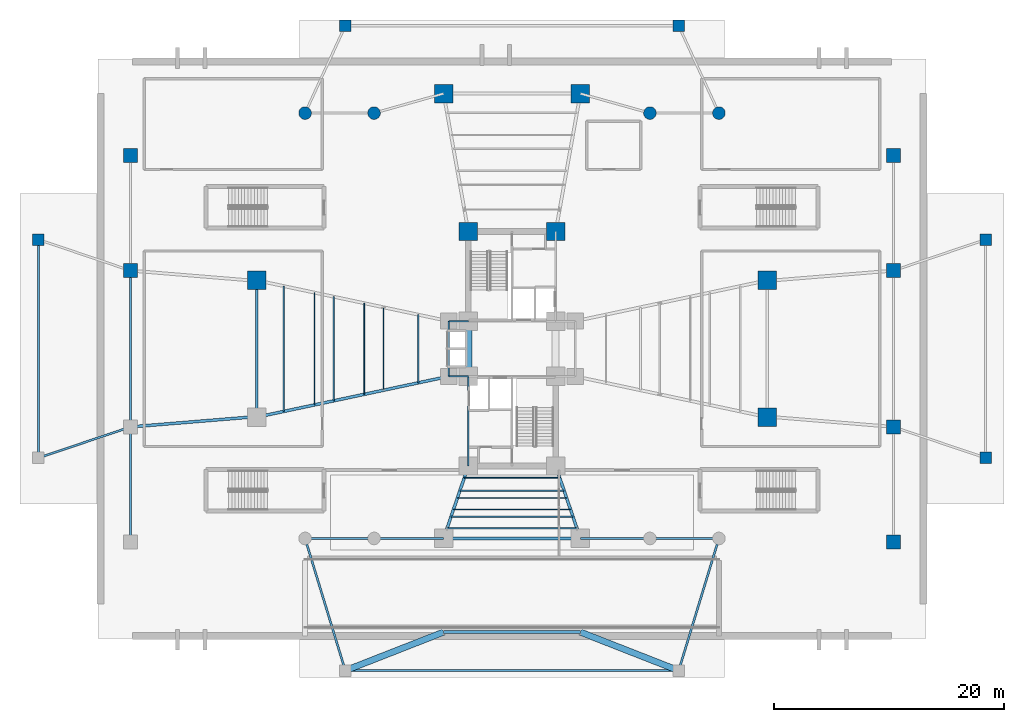
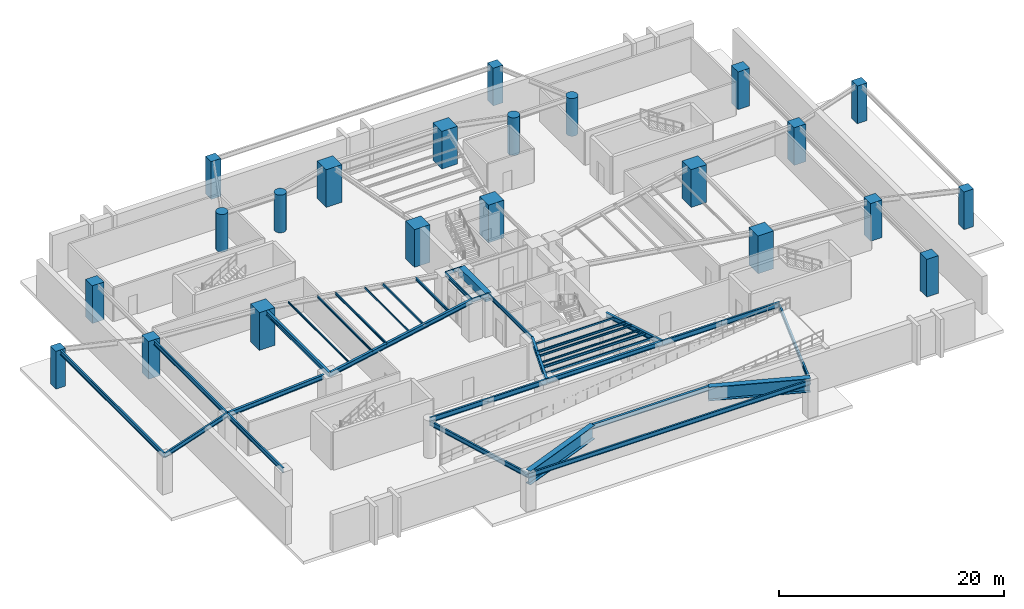
# One storey, part 3 of 14: 37 beams, 22 columns.
"""IFC4 building model written with IfcOpenShell, lengths in metres."""

from ifc_helpers import new_model, si_unit, direction, frame, origin, origin_2d, place, context, subcontext, project, spatial, rectangle, hollow_rectangle, circle, i_section, extrude, source, transform, mapped, material, material_profile, profile_set, type_object, element, save


model = new_model("IFC4")

# Units and contexts
model_context = context("Model", 3, precision=1e-05, world=origin(), true_north=direction((0.0, 1.0)))
body_context = subcontext(model_context, "Body", "Model", "MODEL_VIEW")
ifc_project = project(units=[si_unit("LENGTHUNIT", "METRE"), si_unit("AREAUNIT", "SQUARE_METRE"), si_unit("VOLUMEUNIT", "CUBIC_METRE"), si_unit("PLANEANGLEUNIT", "RADIAN"), si_unit("MASSUNIT", "GRAM", prefix="KILO")], contexts=[model_context])

# Site, building, storey
site_placement = place(None, origin())
site = spatial("IfcSite", under=ifc_project, at=site_placement, CompositionType="ELEMENT")
building_placement = place(site_placement, origin())
building = spatial("IfcBuilding", under=site, at=building_placement, Name="Sahyath Konkavel Grand Hotel", CompositionType="ELEMENT")
storey_placement = place(building_placement, frame((0.0, 0.0, -4.5)))
storey = spatial("IfcBuildingStorey", under=building, at=storey_placement, Name="B1", CompositionType="ELEMENT", Elevation=-4.5)

# Columns
ifc_material_1 = material(Name="Concrete C70/85", Category="concrete")
ifc_material_profile_1 = material_profile(ifc_material_1, rectangle(XDim=1.60009765625, YDim=1.60009765625, at=origin_2d()), Name="RC 1600x1600")
ifc_profile_set_1 = profile_set([ifc_material_profile_1], Name="Concrete C70/85")
column_type_1 = type_object("IfcColumnType", Name="COL-RC1600", PredefinedType="COLUMN", material=ifc_profile_set_1)
shared_shape_1 = source(origin(), body_context, "Body", "SweptSolid", [
    extrude(rectangle(XDim=1.60009765625, YDim=1.60009765625, at=origin_2d()), origin(), (0.0, 0.0, 1.0), 4.10009765625),
])
for number, where, z_axis, x_axis, name in (
    (1, (-3.800048828125, 10.199951171875, 0.0), (0.0, 0.0, 1.0), (1.0, 0.0, 0.0), "B1 Core Boundary Column NC-NW"),
    (2, (3.800048828125, 10.199951171875, 0.0), (0.0, 0.0, 1.0), (1.0, 0.0, 0.0), "B1 Core Boundary Column NC-NE"),
    (3, (22.199951171875, -5.949951171875, 0.0), (0.0, 0.0, 1.0), (1.0, 0.0, 0.0), "B1 Ballroom Mega-Column MC-EA"),
    (4, (22.199951171875, 5.949951171875, 0.0), (0.0, 0.0, 1.0), (1.0, 0.0, 0.0), "B1 Ballroom Mega-Column MC-EB"),
    (5, (5.949951171875, 22.199951171875, 0.0), (0.0, 0.0, 1.0), (1.0, 0.0, 0.0), "B1 Ballroom Mega-Column MC-NA"),
    (6, (-5.949951171875, 22.199951171875, 0.0), (0.0, 0.0, 1.0), (1.0, 0.0, 0.0), "B1 Ballroom Mega-Column MC-NB"),
    (7, (-22.199951171875, 5.949951171875, 0.0), (0.0, 0.0, 1.0), (1.0, 0.0, 0.0), "B1 Ballroom Mega-Column MC-WA"),
):
    element("IfcColumn", number, at=place(storey_placement, frame(where, z_axis=z_axis, x_axis=x_axis)), inside=storey, type_object=column_type_1, Name=name, PredefinedType="COLUMN", context=body_context, shape_type="MappedRepresentation", body=[
        mapped(shared_shape_1, transform((0.0, 0.0, 0.0), scale=1.0)),
    ])
ifc_material_2 = material(Name="Concrete C50/60", Category="concrete")
ifc_material_profile_2 = material_profile(ifc_material_2, rectangle(XDim=1.199951171875, YDim=1.199951171875, at=origin_2d()), Name="RC 1200x1200")
ifc_profile_set_2 = profile_set([ifc_material_profile_2], Name="Concrete C50/60")
column_type_2 = type_object("IfcColumnType", Name="COL-RC1200", PredefinedType="COLUMN", material=ifc_profile_set_2)
shared_shape_2 = source(origin(), body_context, "Body", "SweptSolid", [
    extrude(rectangle(XDim=1.199951171875, YDim=1.199951171875, at=origin_2d()), origin(), (0.0, 0.0, 1.0), 4.10009765625),
])
for number, where, z_axis, x_axis, name in (
    (8, (33.199951171875, -16.800048828125, 0.0), (0.0, 0.0, 1.0), (1.0, 0.0, 0.0), "B1 Podium Perimeter Column PC-E1"),
    (9, (33.199951171875, -6.800048828125, 0.0), (0.0, 0.0, 1.0), (1.0, 0.0, 0.0), "B1 Podium Perimeter Column PC-E2"),
    (10, (33.199951171875, 6.800048828125, 0.0), (0.0, 0.0, 1.0), (1.0, 0.0, 0.0), "B1 Podium Perimeter Column PC-E3"),
    (11, (33.199951171875, 16.800048828125, 0.0), (0.0, 0.0, 1.0), (1.0, 0.0, 0.0), "B1 Podium Perimeter Column PC-E4"),
    (12, (-33.199951171875, 6.800048828125, 0.0), (0.0, 0.0, 1.0), (1.0, 0.0, 0.0), "B1 Podium Perimeter Column PC-W3"),
    (13, (-33.199951171875, 16.800048828125, 0.0), (0.0, 0.0, 1.0), (1.0, 0.0, 0.0), "B1 Podium Perimeter Column PC-W4"),
):
    element("IfcColumn", number, at=place(storey_placement, frame(where, z_axis=z_axis, x_axis=x_axis)), inside=storey, type_object=column_type_2, Name=name, PredefinedType="COLUMN", context=body_context, shape_type="MappedRepresentation", body=[
        mapped(shared_shape_2, transform((0.0, 0.0, 0.0), scale=1.0)),
    ])
ifc_material_profile_3 = material_profile(ifc_material_1, circle(Radius=0.550048828125, at=origin_2d()), Name="RC D1100")
ifc_profile_set_3 = profile_set([ifc_material_profile_3], Name="Concrete C70/85")
column_type_3 = type_object("IfcColumnType", Name="COL-RCD1100", PredefinedType="COLUMN", material=ifc_profile_set_3)
shared_shape_3 = source(origin(), body_context, "Body", "SweptSolid", [
    extrude(circle(Radius=0.550048828125, at=origin_2d()), origin(), (0.0, 0.0, 1.0), 4.10009765625),
])
for number, where, z_axis, x_axis, name in (
    (14, (-18.0, 20.5, 0.0), (0.0, 0.0, 1.0), (1.0, 0.0, 0.0), "B1 Sandstone Colonnade Pier CL-N1"),
    (15, (-12.0, 20.5, 0.0), (0.0, 0.0, 1.0), (1.0, 0.0, 0.0), "B1 Sandstone Colonnade Pier CL-N2"),
    (16, (12.0, 20.5, 0.0), (0.0, 0.0, 1.0), (1.0, 0.0, 0.0), "B1 Sandstone Colonnade Pier CL-N3"),
    (17, (18.0, 20.5, 0.0), (0.0, 0.0, 1.0), (1.0, 0.0, 0.0), "B1 Sandstone Colonnade Pier CL-N4"),
):
    element("IfcColumn", number, at=place(storey_placement, frame(where, z_axis=z_axis, x_axis=x_axis)), inside=storey, type_object=column_type_3, Name=name, PredefinedType="COLUMN", context=body_context, shape_type="MappedRepresentation", body=[
        mapped(shared_shape_3, transform((0.0, 0.0, 0.0), scale=1.0)),
    ])
ifc_material_profile_4 = material_profile(ifc_material_2, rectangle(XDim=1.0, YDim=1.0, at=origin_2d()), Name="RC 1000x1000")
ifc_profile_set_4 = profile_set([ifc_material_profile_4], Name="Concrete C50/60")
column_type_4 = type_object("IfcColumnType", Name="COL-RC1000", PredefinedType="COLUMN", material=ifc_profile_set_4)
shared_shape_4 = source(origin(), body_context, "Body", "SweptSolid", [
    extrude(rectangle(XDim=1.0, YDim=1.0, at=origin_2d()), origin(), (0.0, 0.0, 1.0), 4.10009765625),
])
for number, where, z_axis, x_axis, name in (
    (18, (41.199951171875, -9.5, 0.0), (0.0, 0.0, 1.0), (1.0, 0.0, 0.0), "B1 Metro Portal Wing Column PW-E1"),
    (19, (41.199951171875, 9.5, 0.0), (0.0, 0.0, 1.0), (1.0, 0.0, 0.0), "B1 Metro Portal Wing Column PW-E2"),
    (20, (-41.199951171875, 9.5, 0.0), (0.0, 0.0, 1.0), (1.0, 0.0, 0.0), "B1 Metro Portal Wing Column PW-W2"),
    (21, (-14.5, 28.10009765625, 0.0), (0.0, 0.0, 1.0), (1.0, 0.0, 0.0), "B1 Metro Portal Wing Column PW-N1"),
    (22, (14.5, 28.10009765625, 0.0), (0.0, 0.0, 1.0), (1.0, 0.0, 0.0), "B1 Metro Portal Wing Column PW-N2"),
):
    element("IfcColumn", number, at=place(storey_placement, frame(where, z_axis=z_axis, x_axis=x_axis)), inside=storey, type_object=column_type_4, Name=name, PredefinedType="COLUMN", context=body_context, shape_type="MappedRepresentation", body=[
        mapped(shared_shape_4, transform((0.0, 0.0, 0.0), scale=1.0)),
    ])

# Beams
ifc_material_3 = material(Name="Steel E350", Category="steel")
ifc_material_profile_5 = material_profile(ifc_material_3, i_section(OverallWidth=0.179931640625, OverallDepth=0.5, WebThickness=0.01025390625, FlangeThickness=0.01708984375, FilletRadius=0.01708984375, at=origin_2d()), Name="ISMB 500")
ifc_profile_set_5 = profile_set([ifc_material_profile_5], Name="Steel E350")
beam_type_1 = type_object("IfcBeamType", Name="BM-ISMB500", PredefinedType="BEAM", material=ifc_profile_set_5)
shared_shape_5 = source(origin(), body_context, "Body", "SweptSolid", [
    extrude(i_section(OverallWidth=0.179931640625, OverallDepth=0.5, WebThickness=0.01025390625, FlangeThickness=0.01708984375, FilletRadius=0.01708984375, at=origin_2d()), origin(), (0.0, 0.0, 1.0), 19.0),
])
beam_1_placement = place(storey_placement, frame((-41.199951171875, -9.5, 3.85009765625), z_axis=(0.0, 1.0, 0.0), x_axis=(-1.0, 0.0, 0.0)))
element("IfcBeam", 23, at=beam_1_placement, inside=storey, type_object=beam_type_1, Name="B1 Metro Portal Wing Girder 04", PredefinedType="BEAM", context=body_context, shape_type="MappedRepresentation", body=[
    mapped(shared_shape_5, transform((0.0, 0.0, 0.0), scale=1.0)),
])
shared_shape_6 = source(origin(), body_context, "Body", "SweptSolid", [
    extrude(i_section(OverallWidth=0.179931640625, OverallDepth=0.5, WebThickness=0.01025390625, FlangeThickness=0.01708984375, FilletRadius=0.01708984375, at=origin_2d()), origin(), (0.0, 0.0, 1.0), 8.443359375),
])
beam_2_placement = place(storey_placement, frame((-41.199951171875, -9.5, 3.85009765625), z_axis=(0.947494031165, 0.319773452474, 0.0), x_axis=(-0.319773452474, 0.947494031165, 0.0)))
element("IfcBeam", 24, at=beam_2_placement, inside=storey, type_object=beam_type_1, Name="B1 Metro Portal Wing Girder 05", PredefinedType="BEAM", context=body_context, shape_type="MappedRepresentation", body=[
    mapped(shared_shape_6, transform((0.0, 0.0, 0.0), scale=1.0)),
])
shared_shape_7 = source(origin(), body_context, "Body", "SweptSolid", [
    extrude(i_section(OverallWidth=0.179931640625, OverallDepth=0.5, WebThickness=0.01025390625, FlangeThickness=0.01708984375, FilletRadius=0.01708984375, at=origin_2d()), origin(), (0.0, 0.0, 1.0), 29.0),
])
beam_3_placement = place(storey_placement, frame((-14.5, -28.0, 3.550048828125), z_axis=(1.0, 0.0, 0.0), x_axis=(0.0, 1.0, 0.0)))
element("IfcBeam", 25, at=beam_3_placement, inside=storey, type_object=beam_type_1, Name="B1 Metro Portal Wing Girder 10", PredefinedType="BEAM", context=body_context, shape_type="MappedRepresentation", body=[
    mapped(shared_shape_7, transform((0.0, 0.0, 0.0), scale=1.0)),
])
shared_shape_8 = source(origin(), body_context, "Body", "SweptSolid", [
    extrude(i_section(OverallWidth=0.179931640625, OverallDepth=0.5, WebThickness=0.01025390625, FlangeThickness=0.01708984375, FilletRadius=0.01708984375, at=origin_2d()), origin(), (0.0, 0.0, 1.0), 12.020751953125),
])
for number, where, z_axis, x_axis, name in (
    (26, (-14.5, -28.0, 3.550048828125), (-0.291161615783, 0.956673880429, 0.0), (-0.956673880429, -0.291161615783, 0.0), "B1 Metro Portal Wing Girder 11"),
    (27, (14.5, -28.0, 3.550048828125), (0.291161615783, 0.956673880429, 0.0), (-0.956673880429, 0.291161615783, 0.0), "B1 Metro Portal Wing Girder 12"),
):
    element("IfcBeam", number, at=place(storey_placement, frame(where, z_axis=z_axis, x_axis=x_axis)), inside=storey, type_object=beam_type_1, Name=name, PredefinedType="BEAM", context=body_context, shape_type="MappedRepresentation", body=[
        mapped(shared_shape_8, transform((0.0, 0.0, 0.0), scale=1.0)),
    ])
ifc_material_profile_6 = material_profile(ifc_material_1, rectangle(XDim=0.60009765625, YDim=0.89990234375, at=origin_2d()), Name="RC 600x900")
ifc_profile_set_6 = profile_set([ifc_material_profile_6], Name="Concrete C70/85")
beam_type_2 = type_object("IfcBeamType", Name="BM-CB600x900", PredefinedType="LINTEL", material=ifc_profile_set_6)
shared_shape_9 = source(origin(), body_context, "Body", "SweptSolid", [
    extrude(rectangle(XDim=0.60009765625, YDim=0.89990234375, at=origin_2d()), origin(), (0.0, 0.0, 1.0), 4.7998046875),
])
beam_4_placement = place(storey_placement, frame((-3.800048828125, -2.39990234375, 3.64990234375), z_axis=(0.0, 1.0, 0.0), x_axis=(-1.0, 0.0, 0.0)))
element("IfcBeam", 28, at=beam_4_placement, inside=storey, type_object=beam_type_2, Name="B1 Split-Core Coupling Beam West", PredefinedType="LINTEL", context=body_context, shape_type="MappedRepresentation", body=[
    mapped(shared_shape_9, transform((0.0, 0.0, 0.0), scale=1.0)),
])
ifc_material_profile_7 = material_profile(ifc_material_3, i_section(OverallWidth=0.139892578125, OverallDepth=0.39990234375, WebThickness=0.0087890625, FlangeThickness=0.01611328125, FilletRadius=0.013916015625, at=origin_2d()), Name="ISMB 400")
ifc_profile_set_7 = profile_set([ifc_material_profile_7], Name="Steel E350")
beam_type_3 = type_object("IfcBeamType", Name="BM-ISMB400", PredefinedType="BEAM", material=ifc_profile_set_7)
shared_shape_10 = source(origin(), body_context, "Body", "SweptSolid", [
    extrude(i_section(OverallWidth=0.139892578125, OverallDepth=0.39990234375, WebThickness=0.0087890625, FlangeThickness=0.01611328125, FilletRadius=0.013916015625, at=origin_2d()), origin(), (0.0, 0.0, 1.0), 7.800048828125),
])
beam_5_placement = place(storey_placement, frame((-3.800048828125, -10.199951171875, 3.89990234375), z_axis=(0.0, 1.0, 0.0), x_axis=(-1.0, 0.0, 0.0)))
element("IfcBeam", 29, at=beam_5_placement, inside=storey, type_object=beam_type_3, Name="str:bm:B1:SC-W", PredefinedType="BEAM", context=body_context, shape_type="MappedRepresentation", body=[
    mapped(shared_shape_10, transform((0.0, 0.0, 0.0), scale=1.0)),
])
shared_shape_11 = source(origin(), body_context, "Body", "SweptSolid", [
    extrude(i_section(OverallWidth=0.139892578125, OverallDepth=0.39990234375, WebThickness=0.0087890625, FlangeThickness=0.01611328125, FilletRadius=0.013916015625, at=origin_2d()), origin(), (0.0, 0.0, 1.0), 1.699951171875),
])
for number, where, z_axis, x_axis, name in (
    (30, (-5.5, 2.39990234375, 3.89990234375), (1.0, 0.0, 0.0), (0.0, 1.0, 0.0), "str:bm:B1:HB-NW"),
    (31, (-5.5, -2.39990234375, 3.89990234375), (1.0, 0.0, 0.0), (0.0, 1.0, 0.0), "str:bm:B1:HB-SW"),
):
    element("IfcBeam", number, at=place(storey_placement, frame(where, z_axis=z_axis, x_axis=x_axis)), inside=storey, type_object=beam_type_3, Name=name, PredefinedType="BEAM", context=body_context, shape_type="MappedRepresentation", body=[
        mapped(shared_shape_11, transform((0.0, 0.0, 0.0), scale=1.0)),
    ])
shared_shape_12 = source(origin(), body_context, "Body", "SweptSolid", [
    extrude(i_section(OverallWidth=0.139892578125, OverallDepth=0.39990234375, WebThickness=0.0087890625, FlangeThickness=0.01611328125, FilletRadius=0.013916015625, at=origin_2d()), origin(), (0.0, 0.0, 1.0), 4.7998046875),
])
beam_6_placement = place(storey_placement, frame((-5.5, -2.39990234375, 3.89990234375), z_axis=(0.0, 1.0, 0.0), x_axis=(-1.0, 0.0, 0.0)))
element("IfcBeam", 32, at=beam_6_placement, inside=storey, type_object=beam_type_3, Name="str:bm:B1:HB-W", PredefinedType="BEAM", context=body_context, shape_type="MappedRepresentation", body=[
    mapped(shared_shape_12, transform((0.0, 0.0, 0.0), scale=1.0)),
])
ifc_material_profile_8 = material_profile(ifc_material_3, i_section(OverallWidth=0.25, OverallDepth=0.5, WebThickness=0.010009765625, FlangeThickness=0.0146484375, FilletRadius=0.014892578125, at=origin_2d()), Name="ISWB 500")
ifc_profile_set_8 = profile_set([ifc_material_profile_8], Name="Steel E350")
beam_type_4 = type_object("IfcBeamType", Name="BM-ISWB500", PredefinedType="BEAM", material=ifc_profile_set_8)
shared_shape_13 = source(origin(), body_context, "Body", "SweptSolid", [
    extrude(i_section(OverallWidth=0.25, OverallDepth=0.5, WebThickness=0.010009765625, FlangeThickness=0.0146484375, FilletRadius=0.014892578125, at=origin_2d()), origin(), (0.0, 0.0, 1.0), 17.072998046875),
])
beam_7_placement = place(storey_placement, frame((-5.5, -2.39990234375, 3.85009765625), z_axis=(-0.978143257225, -0.20793212437, 0.0), x_axis=(0.20793212437, -0.978143257225, 0.0)))
element("IfcBeam", 33, at=beam_7_placement, inside=storey, type_object=beam_type_4, Name="B1 Podium Primary Girder WB", PredefinedType="BEAM", context=body_context, shape_type="MappedRepresentation", body=[
    mapped(shared_shape_13, transform((0.0, 0.0, 0.0), scale=1.0)),
])
shared_shape_14 = source(origin(), body_context, "Body", "SweptSolid", [
    extrude(i_section(OverallWidth=0.25, OverallDepth=0.5, WebThickness=0.010009765625, FlangeThickness=0.0146484375, FilletRadius=0.014892578125, at=origin_2d()), origin(), (0.0, 0.0, 1.0), 6.65673828125),
])
for number, where, z_axis, x_axis, name in (
    (34, (-3.800048828125, -10.199951171875, 3.85009765625), (-0.322964397437, -0.946411114679, 0.0), (0.946411114679, -0.322964397437, 0.0), "B1 Podium Primary Girder SA"),
    (35, (3.800048828125, -10.199951171875, 3.85009765625), (0.322964397437, -0.946411114679, 0.0), (0.946411114679, 0.322964397437, 0.0), "B1 Podium Primary Girder SB"),
):
    element("IfcBeam", number, at=place(storey_placement, frame(where, z_axis=z_axis, x_axis=x_axis)), inside=storey, type_object=beam_type_4, Name=name, PredefinedType="BEAM", context=body_context, shape_type="MappedRepresentation", body=[
        mapped(shared_shape_14, transform((0.0, 0.0, 0.0), scale=1.0)),
    ])
shared_shape_15 = source(origin(), body_context, "Body", "SweptSolid", [
    extrude(i_section(OverallWidth=0.25, OverallDepth=0.5, WebThickness=0.010009765625, FlangeThickness=0.0146484375, FilletRadius=0.014892578125, at=origin_2d()), origin(), (0.0, 0.0, 1.0), 11.89990234375),
])
for number, where, z_axis, x_axis, name in (
    (36, (-22.199951171875, 5.949951171875, 3.85009765625), (0.0, -1.0, 0.0), (1.0, 0.0, 0.0), "B1 Podium Primary Girder Tie W"),
    (37, (-5.949951171875, -16.5, 3.85009765625), (1.0, 0.0, 0.0), (0.0, 1.0, 0.0), "B1 Podium Primary Girder Tie S"),
    (38, (-5.949951171875, -24.64990234375, 3.85009765625), (1.0, 0.0, 0.0), (0.0, 1.0, 0.0), "B1 Podium Primary Girder Tie S2"),
):
    element("IfcBeam", number, at=place(storey_placement, frame(where, z_axis=z_axis, x_axis=x_axis)), inside=storey, type_object=beam_type_4, Name=name, PredefinedType="BEAM", context=body_context, shape_type="MappedRepresentation", body=[
        mapped(shared_shape_15, transform((0.0, 0.0, 0.0), scale=1.0)),
    ])
ifc_material_profile_9 = material_profile(ifc_material_3, i_section(OverallWidth=0.18994140625, OverallDepth=0.550048828125, WebThickness=0.01123046875, FlangeThickness=0.019287109375, FilletRadius=0.01806640625, at=origin_2d()), Name="ISMB 550")
ifc_profile_set_9 = profile_set([ifc_material_profile_9], Name="Steel E350")
beam_type_5 = type_object("IfcBeamType", Name="BM-ISMB550", PredefinedType="BEAM", material=ifc_profile_set_9)
shared_shape_16 = source(origin(), body_context, "Body", "SweptSolid", [
    extrude(i_section(OverallWidth=0.18994140625, OverallDepth=0.550048828125, WebThickness=0.01123046875, FlangeThickness=0.019287109375, FilletRadius=0.01806640625, at=origin_2d()), origin(), (0.0, 0.0, 1.0), 6.0),
])
for number, where, z_axis, x_axis, name in (
    (39, (-18.0, -16.5, 3.824951171875), (1.0, 0.0, 0.0), (0.0, 1.0, 0.0), "str:bm:B1:POD-05"),
    (40, (12.0, -16.5, 3.824951171875), (1.0, 0.0, 0.0), (0.0, 1.0, 0.0), "str:bm:B1:POD-08"),
):
    element("IfcBeam", number, at=place(storey_placement, frame(where, z_axis=z_axis, x_axis=x_axis)), inside=storey, type_object=beam_type_5, Name=name, PredefinedType="BEAM", context=body_context, shape_type="MappedRepresentation", body=[
        mapped(shared_shape_16, transform((0.0, 0.0, 0.0), scale=1.0)),
    ])
shared_shape_17 = source(origin(), body_context, "Body", "SweptSolid", [
    extrude(i_section(OverallWidth=0.18994140625, OverallDepth=0.550048828125, WebThickness=0.01123046875, FlangeThickness=0.019287109375, FilletRadius=0.01806640625, at=origin_2d()), origin(), (0.0, 0.0, 1.0), 6.050048828125),
])
for number, where, z_axis, x_axis, name in (
    (41, (-12.0, -16.5, 3.824951171875), (1.0, 0.0, 0.0), (0.0, 1.0, 0.0), "str:bm:B1:POD-06"),
    (42, (5.949951171875, -16.5, 3.824951171875), (1.0, 0.0, 0.0), (0.0, 1.0, 0.0), "str:bm:B1:POD-07"),
):
    element("IfcBeam", number, at=place(storey_placement, frame(where, z_axis=z_axis, x_axis=x_axis)), inside=storey, type_object=beam_type_5, Name=name, PredefinedType="BEAM", context=body_context, shape_type="MappedRepresentation", body=[
        mapped(shared_shape_17, transform((0.0, 0.0, 0.0), scale=1.0)),
    ])
shared_shape_18 = source(origin(), body_context, "Body", "SweptSolid", [
    extrude(i_section(OverallWidth=0.179931640625, OverallDepth=0.5, WebThickness=0.01025390625, FlangeThickness=0.01708984375, FilletRadius=0.01708984375, at=origin_2d()), origin(), (0.0, 0.0, 1.0), 10.0),
])
beam_8_placement = place(storey_placement, frame((-33.199951171875, -16.800048828125, 3.85009765625), z_axis=(0.0, 1.0, 0.0), x_axis=(-1.0, 0.0, 0.0)))
element("IfcBeam", 43, at=beam_8_placement, inside=storey, type_object=beam_type_1, Name="str:bm:B1:POD-14", PredefinedType="BEAM", context=body_context, shape_type="MappedRepresentation", body=[
    mapped(shared_shape_18, transform((0.0, 0.0, 0.0), scale=1.0)),
])
shared_shape_19 = source(origin(), body_context, "Body", "SweptSolid", [
    extrude(i_section(OverallWidth=0.25, OverallDepth=0.5, WebThickness=0.010009765625, FlangeThickness=0.0146484375, FilletRadius=0.014892578125, at=origin_2d()), origin(), (0.0, 0.0, 1.0), 10.4345703125),
])
beam_9_placement = place(storey_placement, frame((-33.199951171875, -6.800048828125, 3.85009765625), z_axis=(0.996675859081, 0.081469208445, 0.0), x_axis=(-0.081469208445, 0.996675859081, 0.0)))
element("IfcBeam", 44, at=beam_9_placement, inside=storey, type_object=beam_type_4, Name="str:bm:B1:POD-15", PredefinedType="BEAM", context=body_context, shape_type="MappedRepresentation", body=[
    mapped(shared_shape_19, transform((0.0, 0.0, 0.0), scale=1.0)),
])
shared_shape_20 = source(origin(), body_context, "Body", "SweptSolid", [
    extrude(i_section(OverallWidth=0.179931640625, OverallDepth=0.5, WebThickness=0.01025390625, FlangeThickness=0.01708984375, FilletRadius=0.01708984375, at=origin_2d()), origin(), (0.0, 0.0, 1.0), 13.60009765625),
])
beam_10_placement = place(storey_placement, frame((-33.199951171875, -6.800048828125, 3.85009765625), z_axis=(0.0, 1.0, 0.0), x_axis=(-1.0, 0.0, 0.0)))
element("IfcBeam", 45, at=beam_10_placement, inside=storey, type_object=beam_type_1, Name="str:bm:B1:POD-16", PredefinedType="BEAM", context=body_context, shape_type="MappedRepresentation", body=[
    mapped(shared_shape_20, transform((0.0, 0.0, 0.0), scale=1.0)),
])
ifc_material_4 = material(Name="Steel E450", Category="steel")
ifc_material_profile_10 = material_profile(ifc_material_4, i_section(OverallWidth=0.550048828125, OverallDepth=1.5, WebThickness=0.028076171875, FlangeThickness=0.050048828125, at=origin_2d()), Name="BPG 1500x550")
ifc_profile_set_10 = profile_set([ifc_material_profile_10], Name="Steel E450")
beam_type_6 = type_object("IfcBeamType", Name="BM-BPG1500", PredefinedType="BEAM", material=ifc_profile_set_10)
shared_shape_21 = source(origin(), body_context, "Body", "SweptSolid", [
    extrude(i_section(OverallWidth=0.550048828125, OverallDepth=1.5, WebThickness=0.028076171875, FlangeThickness=0.050048828125, at=origin_2d()), origin(), (0.0, 0.0, 1.0), 9.182861328125),
])
for number, where, z_axis, x_axis, name in (
    (46, (-14.5, -28.0, 3.35009765625), (0.931079114712, 0.364817327092, 0.0), (-0.364817327092, 0.931079114712, 0.0), "B1 Podium Primary Girder SA2"),
    (47, (14.5, -28.0, 3.35009765625), (-0.931079114712, 0.364817327092, 0.0), (-0.364817327092, -0.931079114712, 0.0), "B1 Podium Primary Girder SB2"),
):
    element("IfcBeam", number, at=place(storey_placement, frame(where, z_axis=z_axis, x_axis=x_axis)), inside=storey, type_object=beam_type_6, Name=name, PredefinedType="BEAM", context=body_context, shape_type="MappedRepresentation", body=[
        mapped(shared_shape_21, transform((0.0, 0.0, 0.0), scale=1.0)),
    ])
ifc_material_profile_11 = material_profile(ifc_material_3, i_section(OverallWidth=0.139892578125, OverallDepth=0.27490234375, WebThickness=0.00634765625, FlangeThickness=0.0087890625, FilletRadius=0.012939453125, at=origin_2d()), Name="ISLB 275")
ifc_profile_set_11 = profile_set([ifc_material_profile_11], Name="Steel E350")
beam_type_7 = type_object("IfcBeamType", Name="BM-ISLB275", PredefinedType="BEAM", material=ifc_profile_set_11)
shared_shape_22 = source(origin(), body_context, "Body", "SweptSolid", [
    extrude(i_section(OverallWidth=0.139892578125, OverallDepth=0.27490234375, WebThickness=0.00634765625, FlangeThickness=0.0087890625, FilletRadius=0.012939453125, at=origin_2d()), origin(), (0.0, 0.0, 1.0), 5.93603515625),
])
beam_11_placement = place(storey_placement, frame((-8.172119140625, 2.968017578125, 3.96240234375), z_axis=(0.0, -1.0, 0.0), x_axis=(1.0, 0.0, 0.0)))
element("IfcBeam", 48, at=beam_11_placement, inside=storey, type_object=beam_type_7, Name="B1 Composite Deck Sub-Beam W-1", PredefinedType="BEAM", context=body_context, shape_type="MappedRepresentation", body=[
    mapped(shared_shape_22, transform((0.0, 0.0, 0.0), scale=1.0)),
])
ifc_material_profile_12 = material_profile(ifc_material_3, hollow_rectangle(XDim=0.1201171875, YDim=0.219970703125, WallThickness=0.010009765625, at=origin_2d()), Name="RHS 220x120x10")
ifc_profile_set_12 = profile_set([ifc_material_profile_12], Name="Steel E350")
beam_type_8 = type_object("IfcBeamType", Name="BM-RHS220", PredefinedType="BEAM", material=ifc_profile_set_12)
shared_shape_23 = source(origin(), body_context, "Body", "SweptSolid", [
    extrude(hollow_rectangle(XDim=0.1201171875, YDim=0.219970703125, WallThickness=0.010009765625, at=origin_2d()), origin(), (0.0, 0.0, 1.0), 7.2138671875),
])
beam_12_placement = place(storey_placement, frame((-11.177978515625, 3.60693359375, 3.989990234375), z_axis=(0.0, -1.0, 0.0), x_axis=(1.0, 0.0, 0.0)))
element("IfcBeam", 49, at=beam_12_placement, inside=storey, type_object=beam_type_8, Name="B1 Composite Deck Sub-Beam W-2", PredefinedType="BEAM", context=body_context, shape_type="MappedRepresentation", body=[
    mapped(shared_shape_23, transform((0.0, 0.0, 0.0), scale=1.0)),
])
ifc_material_profile_13 = material_profile(ifc_material_3, hollow_rectangle(XDim=0.090087890625, YDim=0.179931640625, WallThickness=0.008056640625, at=origin_2d()), Name="RHS 180x90x8")
ifc_profile_set_13 = profile_set([ifc_material_profile_13], Name="Steel E350")
beam_type_9 = type_object("IfcBeamType", Name="BM-RHS180", PredefinedType="BEAM", material=ifc_profile_set_13)
shared_shape_24 = source(origin(), body_context, "Body", "SweptSolid", [
    extrude(hollow_rectangle(XDim=0.090087890625, YDim=0.179931640625, WallThickness=0.008056640625, at=origin_2d()), origin(), (0.0, 0.0, 1.0), 7.923828125),
])
beam_13_placement = place(storey_placement, frame((-12.847900390625, 3.9619140625, 4.010009765625), z_axis=(0.0, -1.0, 0.0), x_axis=(1.0, 0.0, 0.0)))
element("IfcBeam", 50, at=beam_13_placement, inside=storey, type_object=beam_type_9, Name="B1 Composite Deck Sub-Beam W-3", PredefinedType="BEAM", context=body_context, shape_type="MappedRepresentation", body=[
    mapped(shared_shape_24, transform((0.0, 0.0, 0.0), scale=1.0)),
])
ifc_material_profile_14 = material_profile(ifc_material_3, i_section(OverallWidth=0.125, OverallDepth=0.25, WebThickness=0.0068359375, FlangeThickness=0.012451171875, FilletRadius=0.012939453125, at=origin_2d()), Name="ISMB 250")
ifc_profile_set_14 = profile_set([ifc_material_profile_14], Name="Steel E350")
beam_type_10 = type_object("IfcBeamType", Name="BM-ISMB250", PredefinedType="BEAM", material=ifc_profile_set_14)
shared_shape_25 = source(origin(), body_context, "Body", "SweptSolid", [
    extrude(i_section(OverallWidth=0.125, OverallDepth=0.25, WebThickness=0.0068359375, FlangeThickness=0.012451171875, FilletRadius=0.012939453125, at=origin_2d()), origin(), (0.0, 0.0, 1.0), 9.06005859375),
])
beam_14_placement = place(storey_placement, frame((-15.52001953125, 4.530029296875, 3.97509765625), z_axis=(0.0, -1.0, 0.0), x_axis=(1.0, 0.0, 0.0)))
element("IfcBeam", 51, at=beam_14_placement, inside=storey, type_object=beam_type_10, Name="B1 Composite Deck Sub-Beam W-4", PredefinedType="BEAM", context=body_context, shape_type="MappedRepresentation", body=[
    mapped(shared_shape_25, transform((0.0, 0.0, 0.0), scale=1.0)),
])
ifc_material_profile_15 = material_profile(ifc_material_3, i_section(OverallWidth=0.110107421875, OverallDepth=0.22509765625, WebThickness=0.006591796875, FlangeThickness=0.01171875, FilletRadius=0.011962890625, at=origin_2d()), Name="ISMB 225")
ifc_profile_set_15 = profile_set([ifc_material_profile_15], Name="Steel E350")
beam_type_11 = type_object("IfcBeamType", Name="BM-ISMB225", PredefinedType="BEAM", material=ifc_profile_set_15)
shared_shape_26 = source(origin(), body_context, "Body", "SweptSolid", [
    extrude(i_section(OverallWidth=0.110107421875, OverallDepth=0.22509765625, WebThickness=0.006591796875, FlangeThickness=0.01171875, FilletRadius=0.011962890625, at=origin_2d()), origin(), (0.0, 0.0, 1.0), 9.77001953125),
])
beam_15_placement = place(storey_placement, frame((-17.18994140625, 4.885009765625, 3.987548828125), z_axis=(0.0, -1.0, 0.0), x_axis=(1.0, 0.0, 0.0)))
element("IfcBeam", 52, at=beam_15_placement, inside=storey, type_object=beam_type_11, Name="B1 Composite Deck Sub-Beam W-5", PredefinedType="BEAM", context=body_context, shape_type="MappedRepresentation", body=[
    mapped(shared_shape_26, transform((0.0, 0.0, 0.0), scale=1.0)),
])
ifc_material_profile_16 = material_profile(ifc_material_3, i_section(OverallWidth=0.10009765625, OverallDepth=0.199951171875, WebThickness=0.005615234375, FlangeThickness=0.0107421875, FilletRadius=0.010986328125, at=origin_2d()), Name="ISMB 200")
ifc_profile_set_16 = profile_set([ifc_material_profile_16], Name="Steel E350")
beam_type_12 = type_object("IfcBeamType", Name="BM-ISMB200", PredefinedType="BEAM", material=ifc_profile_set_16)
shared_shape_27 = source(origin(), body_context, "Body", "SweptSolid", [
    extrude(i_section(OverallWidth=0.10009765625, OverallDepth=0.199951171875, WebThickness=0.005615234375, FlangeThickness=0.0107421875, FilletRadius=0.010986328125, at=origin_2d()), origin(), (0.0, 0.0, 1.0), 10.90576171875),
])
beam_16_placement = place(storey_placement, frame((-19.862060546875, 5.452880859375, 4.0), z_axis=(0.0, -1.0, 0.0), x_axis=(1.0, 0.0, 0.0)))
element("IfcBeam", 53, at=beam_16_placement, inside=storey, type_object=beam_type_12, Name="B1 Composite Deck Sub-Beam W-6", PredefinedType="BEAM", context=body_context, shape_type="MappedRepresentation", body=[
    mapped(shared_shape_27, transform((0.0, 0.0, 0.0), scale=1.0)),
])
shared_shape_28 = source(origin(), body_context, "Body", "SweptSolid", [
    extrude(hollow_rectangle(XDim=0.090087890625, YDim=0.179931640625, WallThickness=0.008056640625, at=origin_2d()), origin(), (0.0, 0.0, 1.0), 8.2880859375),
])
beam_17_placement = place(storey_placement, frame((-4.14404296875, -11.2080078125, 4.010009765625), z_axis=(1.0, 0.0, 0.0), x_axis=(0.0, 1.0, 0.0)))
element("IfcBeam", 54, at=beam_17_placement, inside=storey, type_object=beam_type_9, Name="B1 Composite Deck Sub-Beam S-1", PredefinedType="BEAM", context=body_context, shape_type="MappedRepresentation", body=[
    mapped(shared_shape_28, transform((0.0, 0.0, 0.0), scale=1.0)),
])
shared_shape_29 = source(origin(), body_context, "Body", "SweptSolid", [
    extrude(i_section(OverallWidth=0.125, OverallDepth=0.25, WebThickness=0.0068359375, FlangeThickness=0.012451171875, FilletRadius=0.012939453125, at=origin_2d()), origin(), (0.0, 0.0, 1.0), 9.06201171875),
])
beam_18_placement = place(storey_placement, frame((-4.531005859375, -12.342041015625, 3.97509765625), z_axis=(1.0, 0.0, 0.0), x_axis=(0.0, 1.0, 0.0)))
element("IfcBeam", 55, at=beam_18_placement, inside=storey, type_object=beam_type_10, Name="B1 Composite Deck Sub-Beam S-2", PredefinedType="BEAM", context=body_context, shape_type="MappedRepresentation", body=[
    mapped(shared_shape_29, transform((0.0, 0.0, 0.0), scale=1.0)),
])
shared_shape_30 = source(origin(), body_context, "Body", "SweptSolid", [
    extrude(i_section(OverallWidth=0.110107421875, OverallDepth=0.22509765625, WebThickness=0.006591796875, FlangeThickness=0.01171875, FilletRadius=0.011962890625, at=origin_2d()), origin(), (0.0, 0.0, 1.0), 9.4921875),
])
beam_19_placement = place(storey_placement, frame((-4.74609375, -12.971923828125, 3.987548828125), z_axis=(1.0, 0.0, 0.0), x_axis=(0.0, 1.0, 0.0)))
element("IfcBeam", 56, at=beam_19_placement, inside=storey, type_object=beam_type_11, Name="B1 Composite Deck Sub-Beam S-3", PredefinedType="BEAM", context=body_context, shape_type="MappedRepresentation", body=[
    mapped(shared_shape_30, transform((0.0, 0.0, 0.0), scale=1.0)),
])
shared_shape_31 = source(origin(), body_context, "Body", "SweptSolid", [
    extrude(i_section(OverallWidth=0.10009765625, OverallDepth=0.199951171875, WebThickness=0.005615234375, FlangeThickness=0.0107421875, FilletRadius=0.010986328125, at=origin_2d()), origin(), (0.0, 0.0, 1.0), 10.18017578125),
])
beam_20_placement = place(storey_placement, frame((-5.090087890625, -13.97998046875, 4.0), z_axis=(1.0, 0.0, 0.0), x_axis=(0.0, 1.0, 0.0)))
element("IfcBeam", 57, at=beam_20_placement, inside=storey, type_object=beam_type_12, Name="B1 Composite Deck Sub-Beam S-4", PredefinedType="BEAM", context=body_context, shape_type="MappedRepresentation", body=[
    mapped(shared_shape_31, transform((0.0, 0.0, 0.0), scale=1.0)),
])
shared_shape_32 = source(origin(), body_context, "Body", "SweptSolid", [
    extrude(i_section(OverallWidth=0.139892578125, OverallDepth=0.27490234375, WebThickness=0.00634765625, FlangeThickness=0.0087890625, FilletRadius=0.012939453125, at=origin_2d()), origin(), (0.0, 0.0, 1.0), 10.60986328125),
])
beam_21_placement = place(storey_placement, frame((-5.304931640625, -14.610107421875, 3.96240234375), z_axis=(1.0, 0.0, 0.0), x_axis=(0.0, 1.0, 0.0)))
element("IfcBeam", 58, at=beam_21_placement, inside=storey, type_object=beam_type_7, Name="B1 Composite Deck Sub-Beam S-5", PredefinedType="BEAM", context=body_context, shape_type="MappedRepresentation", body=[
    mapped(shared_shape_32, transform((0.0, 0.0, 0.0), scale=1.0)),
])
shared_shape_33 = source(origin(), body_context, "Body", "SweptSolid", [
    extrude(hollow_rectangle(XDim=0.1201171875, YDim=0.219970703125, WallThickness=0.010009765625, at=origin_2d()), origin(), (0.0, 0.0, 1.0), 11.2978515625),
])
beam_22_placement = place(storey_placement, frame((-5.64892578125, -15.617919921875, 3.989990234375), z_axis=(1.0, 0.0, 0.0), x_axis=(0.0, 1.0, 0.0)))
element("IfcBeam", 59, at=beam_22_placement, inside=storey, type_object=beam_type_8, Name="B1 Composite Deck Sub-Beam S-6", PredefinedType="BEAM", context=body_context, shape_type="MappedRepresentation", body=[
    mapped(shared_shape_33, transform((0.0, 0.0, 0.0), scale=1.0)),
])

save(model, "model.ifc")
